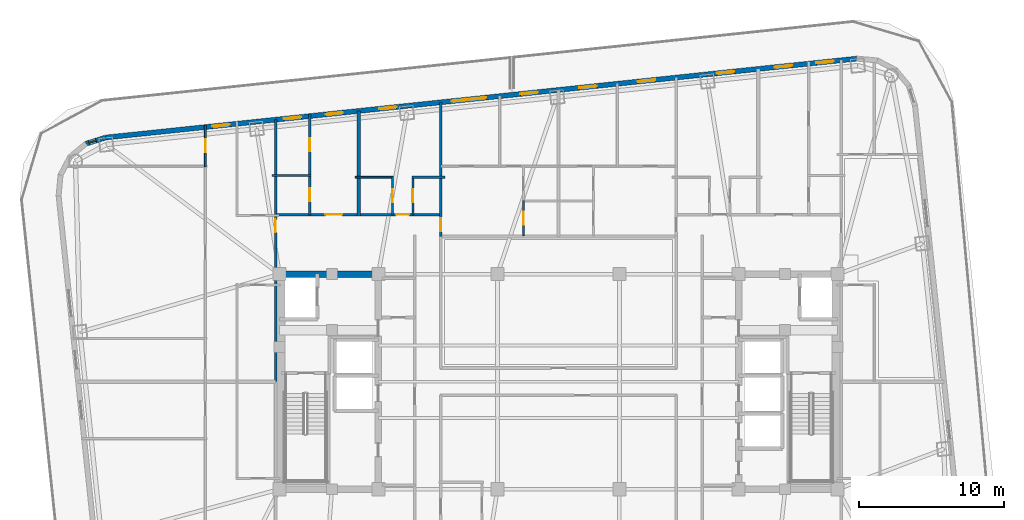
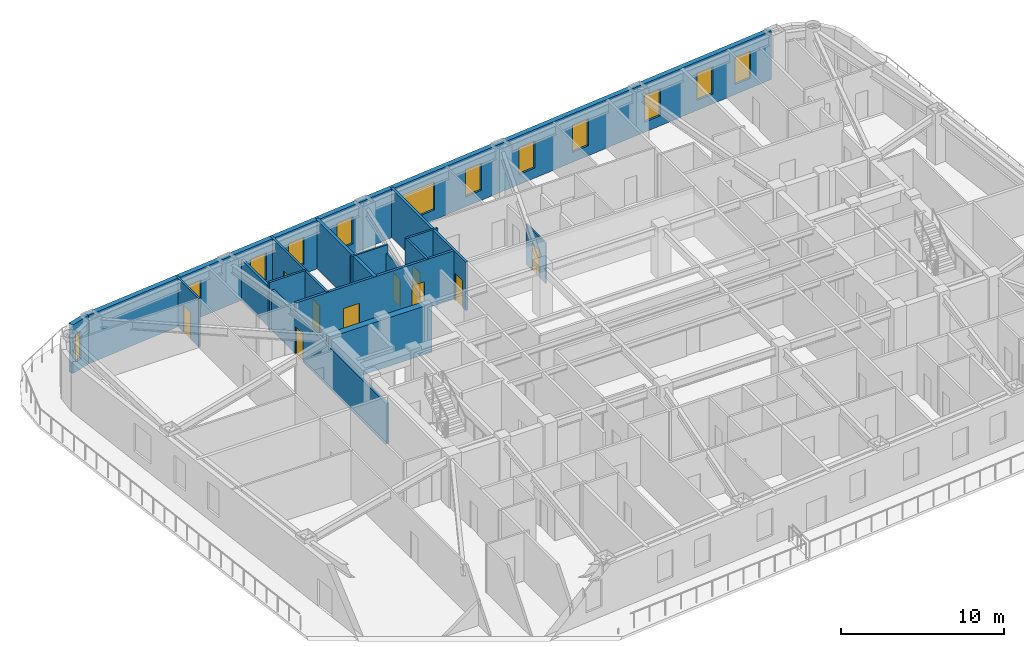
# One storey, part 8 of 15: 16 walls, 12 windows, 10 doors, 22 openings.
"""IFC4 building model written with IfcOpenShell, lengths in metres."""

from ifc_helpers import new_model, si_unit, direction, frame, frame_2d, origin, place, context, subcontext, project, spatial, rectangle, extrude, material, layer, layer_set, type_object, element, fill, save


model = new_model("IFC4")

# Units and contexts
model_context = context("Model", 3, precision=1e-05, world=origin(), true_north=direction((0.0, 1.0)))
body_context = subcontext(model_context, "Body", "Model", "MODEL_VIEW")
ifc_project = project(units=[si_unit("LENGTHUNIT", "METRE"), si_unit("AREAUNIT", "SQUARE_METRE"), si_unit("VOLUMEUNIT", "CUBIC_METRE"), si_unit("PLANEANGLEUNIT", "RADIAN"), si_unit("MASSUNIT", "GRAM", prefix="KILO")], contexts=[model_context])

# Site, building, storey
site_placement = place(None, origin())
site = spatial("IfcSite", under=ifc_project, at=site_placement, CompositionType="ELEMENT")
building_placement = place(site_placement, origin())
building = spatial("IfcBuilding", under=site, at=building_placement, Name="Voryun Gate Residences", CompositionType="ELEMENT")
storey_placement = place(building_placement, frame((0.0, 0.0, 171.60009765625)))
storey = spatial("IfcBuildingStorey", under=building, at=storey_placement, Name="L42", CompositionType="ELEMENT", Elevation=171.60009765625)

# Wall
ifc_material_1 = material(Name="Concrete C50/60", Category="concrete")
ifc_layer_1 = layer(ifc_material_1, 0.449951171875, Name="CW_CORE_450")
ifc_layer_set_1 = layer_set([ifc_layer_1], Name="Concrete C50/60")
wall_type_1 = type_object("IfcWallType", Name="CW_CORE_450", PredefinedType="SHEAR", material=ifc_layer_set_1)
wall_1_placement = place(storey_placement, frame((-19.425048828125, 7.39990234375, 0.0), z_axis=(0.0, 0.0, 1.0), x_axis=(1.0, 0.0, 0.0)))
element("IfcWall", 1, at=wall_1_placement, inside=storey, type_object=wall_type_1, Name="L42 Core shear wall CW-L42-WN", PredefinedType="SHEAR", context=body_context, shape_type="SweptSolid", body=[
    extrude(rectangle(XDim=7.25, YDim=0.449951171875, at=frame_2d((3.625, 0.0))), origin(), (0.0, 0.0, 1.0), 3.64990234375),
])

# Wall, openings, doors
ifc_material_2 = material(Name="Gypsum acoustic fireboard")
ifc_layer_2 = layer(ifc_material_2, 0.179931640625, Name="W_CORR_RATED_180")
ifc_layer_set_2 = layer_set([ifc_layer_2], Name="Gypsum acoustic fireboard")
wall_type_2 = type_object("IfcWallType", Name="W_CORR_RATED_180", PredefinedType="PARTITIONING", material=ifc_layer_set_2)
wall_2_placement = place(storey_placement, frame((-19.4150390625, 11.5, 0.0), z_axis=(0.0, 0.0, 1.0), x_axis=(1.0, 0.0, 0.0)))
wall_2 = element("IfcWall", 2, at=wall_2_placement, inside=storey, type_object=wall_type_2, Name="Partition wall WP-L42-NCORR-W", PredefinedType="PARTITIONING", context=body_context, shape_type="SweptSolid", body=[
    extrude(rectangle(XDim=11.3349609375, YDim=0.179931640625, at=frame_2d((5.66748046875, 0.0))), origin(), (0.0, 0.0, 1.0), 3.64990234375),
])
opening_1_placement = place(wall_2_placement, frame((3.37939453125, 0.0, 0.0)))
opening_1 = element("IfcOpeningElement", 3, at=opening_1_placement, cuts=wall_2, Name="Opening D-UNIT-1", PredefinedType="OPENING", context=body_context, shape_type="SweptSolid", body=[
    extrude(rectangle(XDim=1.14990234375, YDim=2.050048828125, at=frame_2d((0.574951171875, 1.02490234375))), frame((0.0, 0.099853515625, 0.0), z_axis=(0.0, -1.0, 0.0), x_axis=(1.0, 0.0, 0.0)), (0.0, 0.0, 1.0), 0.199951171875),
])
opening_2_placement = place(wall_2_placement, frame((8.23779296875, 0.0, 0.0)))
opening_2 = element("IfcOpeningElement", 4, at=opening_2_placement, cuts=wall_2, Name="Opening D-INT-2", PredefinedType="OPENING", context=body_context, shape_type="SweptSolid", body=[
    extrude(rectangle(XDim=0.89990234375, YDim=2.050048828125, at=frame_2d((0.449951171875, 1.02490234375))), frame((0.0, 0.099853515625, 0.0), z_axis=(0.0, -1.0, 0.0), x_axis=(1.0, 0.0, 0.0)), (0.0, 0.0, 1.0), 0.199951171875),
])
ifc_material_3 = material(Name="Architectural oak veneer")
door_type_1 = type_object("IfcDoorType", Name="DR_INT_BATH_900", OperationType="NOTDEFINED", PredefinedType="DOOR", material=ifc_material_3)
door_1_placement = place(opening_2_placement, origin())
door_1 = element("IfcDoor", 5, at=door_1_placement, inside=storey, type_object=door_type_1, Name="Door DR-L42-NENT-2", OperationType="SINGLE_SWING_RIGHT", OverallHeight=2.050048828125, OverallWidth=0.89990234375, PredefinedType="DOOR", context=body_context, shape_type="SweptSolid", body=[
    extrude(rectangle(XDim=0.89990234375, YDim=2.050048828125, at=frame_2d((0.449951171875, 1.02490234375))), frame((0.0, 0.02490234375, 0.0), z_axis=(0.0, -1.0, 0.0), x_axis=(1.0, 0.0, 0.0)), (0.0, 0.0, 1.0), 0.050048828125),
])
fill(opening_2, door_1)
ifc_material_4 = material(Name="Armoured timber-clad fire door", Category="wood")
door_type_2 = type_object("IfcDoorType", Name="DR_UNIT_ENTRY_1150", OperationType="NOTDEFINED", PredefinedType="DOOR", material=ifc_material_4)
door_2_placement = place(opening_1_placement, origin())
door_2 = element("IfcDoor", 6, at=door_2_placement, inside=storey, type_object=door_type_2, Name="Door DR-L42-NENT-1", OperationType="SINGLE_SWING_LEFT", OverallHeight=2.050048828125, OverallWidth=1.14990234375, PredefinedType="DOOR", context=body_context, shape_type="SweptSolid", body=[
    extrude(rectangle(XDim=1.14990234375, YDim=2.050048828125, at=frame_2d((0.574951171875, 1.02490234375))), frame((0.0, 0.02490234375, 0.0), z_axis=(0.0, -1.0, 0.0), x_axis=(1.0, 0.0, 0.0)), (0.0, 0.0, 1.0), 0.050048828125),
])
fill(opening_1, door_2)

# Wall, opening, door
wall_3_placement = place(storey_placement, frame((-8.10009765625, 9.989990234375, 0.0), z_axis=(0.0, 0.0, 1.0), x_axis=(0.0, 1.0, 0.0)))
wall_3 = element("IfcWall", 7, at=wall_3_placement, inside=storey, type_object=wall_type_2, Name="Partition wall WP-L42-NZV-1", PredefinedType="PARTITIONING", context=body_context, shape_type="SweptSolid", body=[
    extrude(rectangle(XDim=9.236328125, YDim=0.179931640625, at=frame_2d((4.6181640625, 0.0))), origin(), (0.0, 0.0, 1.0), 3.64990234375),
])
opening_3_placement = place(wall_3_placement, frame((0.349853515625, 0.0, 0.0)))
opening_3 = element("IfcOpeningElement", 8, at=opening_3_placement, cuts=wall_3, Name="Opening D-INT-2", PredefinedType="OPENING", context=body_context, shape_type="SweptSolid", body=[
    extrude(rectangle(XDim=0.89990234375, YDim=2.050048828125, at=frame_2d((0.449951171875, 1.02490234375))), frame((0.0, 0.099853515625, 0.0), z_axis=(0.0, -1.0, 0.0), x_axis=(1.0, 0.0, 0.0)), (0.0, 0.0, 1.0), 0.199951171875),
])
door_3_placement = place(opening_3_placement, origin())
door_3 = element("IfcDoor", 9, at=door_3_placement, inside=storey, type_object=door_type_1, Name="Door DR-L42-NZENT-1", OperationType="SINGLE_SWING_LEFT", OverallHeight=2.050048828125, OverallWidth=0.89990234375, PredefinedType="DOOR", context=body_context, shape_type="SweptSolid", body=[
    extrude(rectangle(XDim=0.89990234375, YDim=2.050048828125, at=frame_2d((0.449951171875, 1.02490234375))), frame((0.0, 0.02490234375, 0.0), z_axis=(0.0, -1.0, 0.0), x_axis=(1.0, 0.0, 0.0)), (0.0, 0.0, 1.0), 0.050048828125),
])
fill(opening_3, door_3)

wall_4_placement = place(storey_placement, frame((-19.469970703125, 0.0, 0.0), z_axis=(0.0, 0.0, 1.0), x_axis=(0.0, 1.0, 0.0)))
wall_4 = element("IfcWall", 10, at=wall_4_placement, inside=storey, type_object=wall_type_2, Name="Partition wall WP-L42-WCOR2", PredefinedType="PARTITIONING", context=body_context, shape_type="SweptSolid", body=[
    extrude(rectangle(XDim=18.031494140625, YDim=0.179931640625, at=frame_2d((9.015625, 0.0))), origin(), (0.0, 0.0, 1.0), 3.039794921875),
])
opening_4_placement = place(wall_4_placement, frame((10.280517578125, 0.0, 0.0)))
opening_4 = element("IfcOpeningElement", 11, at=opening_4_placement, cuts=wall_4, Name="Opening D-INT-2", PredefinedType="OPENING", context=body_context, shape_type="SweptSolid", body=[
    extrude(rectangle(XDim=0.89990234375, YDim=2.050048828125, at=frame_2d((0.449951171875, 1.02490234375))), frame((0.0, 0.099853515625, 0.0), z_axis=(0.0, -1.0, 0.0), x_axis=(1.0, 0.0, 0.0)), (0.0, 0.0, 1.0), 0.199951171875),
])
door_4_placement = place(opening_4_placement, origin())
door_4 = element("IfcDoor", 12, at=door_4_placement, inside=storey, type_object=door_type_1, Name="Door DR-L42-WE2", OperationType="SINGLE_SWING_RIGHT", OverallHeight=2.050048828125, OverallWidth=0.89990234375, PredefinedType="DOOR", context=body_context, shape_type="SweptSolid", body=[
    extrude(rectangle(XDim=0.89990234375, YDim=2.050048828125, at=frame_2d((0.449951171875, 1.02490234375))), frame((0.0, 0.02490234375, 0.0), z_axis=(0.0, -1.0, 0.0), x_axis=(1.0, 0.0, 0.0)), (0.0, 0.0, 1.0), 0.050048828125),
])
fill(opening_4, door_4)

# Wall, opening, window
ifc_material_5 = material(Name="Charcoal terracotta masonry", Category="masonry")
ifc_layer_3 = layer(ifc_material_5, 0.340087890625, Name="W_EXT_TERRACOTTA_340")
ifc_layer_set_3 = layer_set([ifc_layer_3], Name="Charcoal terracotta masonry")
wall_type_3 = type_object("IfcWallType", Name="W_EXT_TERRACOTTA_340", PredefinedType="ELEMENTEDWALL", material=ifc_layer_set_3)
wall_5_placement = place(storey_placement, frame((-32.523193359375, 16.37841796875, 0.0), z_axis=(0.0, 0.0, 1.0), x_axis=(0.9549942197, 0.296624409546, 0.0)))
wall_5 = element("IfcWall", 13, at=wall_5_placement, inside=storey, type_object=wall_type_3, Name="Exterior wall WEXT-L42-10", PredefinedType="ELEMENTEDWALL", context=body_context, shape_type="SweptSolid", body=[
    extrude(rectangle(XDim=1.43212890625, YDim=0.340087890625, at=frame_2d((0.716064453125, 0.0))), origin(), (0.0, 0.0, 1.0), 3.64990234375),
])
opening_5_placement = place(wall_5_placement, frame((0.216064453125, 0.0, 0.75)))
opening_5 = element("IfcOpeningElement", 14, at=opening_5_placement, cuts=wall_5, Name="Opening WN10", PredefinedType="OPENING", context=body_context, shape_type="SweptSolid", body=[
    extrude(rectangle(XDim=0.52001953125, YDim=2.050048828125, at=frame_2d((0.260009765625, 1.02490234375))), frame((0.0, 0.179931640625, 0.0), z_axis=(0.0, -1.0, 0.0), x_axis=(1.0, 0.0, 0.0)), (0.0, 0.0, 1.0), 0.360107421875),
])
ifc_material_6 = material(Name="Laminated low-E glass", Category="glass")
window_type_1 = type_object("IfcWindowType", Name="WN_PAGODA_LANCET_520", PartitioningType="SINGLE_PANEL", PredefinedType="WINDOW", material=ifc_material_6)
window_1_placement = place(opening_5_placement, origin())
window_1 = element("IfcWindow", 15, at=window_1_placement, inside=storey, type_object=window_type_1, Name="Window WN-L42-DWFIX-24", OverallHeight=2.050048828125, OverallWidth=0.52001953125, PartitioningType="SINGLE_PANEL", PredefinedType="WINDOW", context=body_context, shape_type="SweptSolid", body=[
    extrude(rectangle(XDim=0.52001953125, YDim=2.050048828125, at=frame_2d((0.260009765625, 1.02490234375))), frame((0.0, 0.030029296875, 0.0), z_axis=(0.0, -1.0, 0.0), x_axis=(1.0, 0.0, 0.0)), (0.0, 0.0, 1.0), 0.06005859375),
])
fill(opening_5, window_1)

# Wall, openings, windows
wall_6_placement = place(storey_placement, frame((-31.155517578125, 16.80322265625, 0.0), z_axis=(0.0, 0.0, 1.0), x_axis=(0.99452209583, 0.104526555986, 0.0)))
wall_6 = element("IfcWall", 16, at=wall_6_placement, inside=storey, type_object=wall_type_3, Name="Exterior wall WEXT-L42-11", PredefinedType="ELEMENTEDWALL", context=body_context, shape_type="SweptSolid", body=[
    extrude(rectangle(XDim=51.966552734375, YDim=0.340087890625, at=frame_2d((25.9833984375, 0.0))), origin(), (0.0, 0.0, 1.0), 3.64990234375),
])
opening_6_placement = place(wall_6_placement, frame((23.93310546875, 0.0, 0.75)))
opening_6 = element("IfcOpeningElement", 17, at=opening_6_placement, cuts=wall_6, Name="Opening WN2", PredefinedType="OPENING", context=body_context, shape_type="SweptSolid", body=[
    extrude(rectangle(XDim=2.39990234375, YDim=2.10009765625, at=frame_2d((1.199951171875, 1.050048828125))), frame((0.0, 0.179931640625, 0.0), z_axis=(0.0, -1.0, 0.0), x_axis=(1.0, 0.0, 0.0)), (0.0, 0.0, 1.0), 0.360107421875),
])
opening_7_placement = place(wall_6_placement, frame((15.209228515625, 0.0, 0.75)))
opening_7 = element("IfcOpeningElement", 18, at=opening_7_placement, cuts=wall_6, Name="Opening WN6", PredefinedType="OPENING", context=body_context, shape_type="SweptSolid", body=[
    extrude(rectangle(XDim=1.199951171875, YDim=2.050048828125, at=frame_2d((0.60009765625, 1.02490234375))), frame((0.0, 0.179931640625, 0.0), z_axis=(0.0, -1.0, 0.0), x_axis=(1.0, 0.0, 0.0)), (0.0, 0.0, 1.0), 0.360107421875),
])
opening_8_placement = place(wall_6_placement, frame((12.33349609375, 0.0, 0.75)))
opening_8 = element("IfcOpeningElement", 19, at=opening_8_placement, cuts=wall_6, Name="Opening WN6", PredefinedType="OPENING", context=body_context, shape_type="SweptSolid", body=[
    extrude(rectangle(XDim=1.199951171875, YDim=2.050048828125, at=frame_2d((0.60009765625, 1.02490234375))), frame((0.0, 0.179931640625, 0.0), z_axis=(0.0, -1.0, 0.0), x_axis=(1.0, 0.0, 0.0)), (0.0, 0.0, 1.0), 0.360107421875),
])
opening_9_placement = place(wall_6_placement, frame((18.914794921875, 0.0, 0.75)))
opening_9 = element("IfcOpeningElement", 20, at=opening_9_placement, cuts=wall_6, Name="Opening WN6", PredefinedType="OPENING", context=body_context, shape_type="SweptSolid", body=[
    extrude(rectangle(XDim=1.199951171875, YDim=2.050048828125, at=frame_2d((0.60009765625, 1.02490234375))), frame((0.0, 0.179931640625, 0.0), z_axis=(0.0, -1.0, 0.0), x_axis=(1.0, 0.0, 0.0)), (0.0, 0.0, 1.0), 0.360107421875),
])
opening_10_placement = place(wall_6_placement, frame((42.294921875, 0.0, 0.75)))
opening_10 = element("IfcOpeningElement", 21, at=opening_10_placement, cuts=wall_6, Name="Opening WN6", PredefinedType="OPENING", context=body_context, shape_type="SweptSolid", body=[
    extrude(rectangle(XDim=1.199951171875, YDim=2.050048828125, at=frame_2d((0.60009765625, 1.02490234375))), frame((0.0, 0.179931640625, 0.0), z_axis=(0.0, -1.0, 0.0), x_axis=(1.0, 0.0, 0.0)), (0.0, 0.0, 1.0), 0.360107421875),
])
opening_11_placement = place(wall_6_placement, frame((46.2880859375, 0.0, 0.75)))
opening_11 = element("IfcOpeningElement", 22, at=opening_11_placement, cuts=wall_6, Name="Opening WN6", PredefinedType="OPENING", context=body_context, shape_type="SweptSolid", body=[
    extrude(rectangle(XDim=1.199951171875, YDim=2.050048828125, at=frame_2d((0.60009765625, 1.02490234375))), frame((0.0, 0.179931640625, 0.0), z_axis=(0.0, -1.0, 0.0), x_axis=(1.0, 0.0, 0.0)), (0.0, 0.0, 1.0), 0.360107421875),
])
opening_12_placement = place(wall_6_placement, frame((49.163818359375, 0.0, 0.75)))
opening_12 = element("IfcOpeningElement", 23, at=opening_12_placement, cuts=wall_6, Name="Opening WN6", PredefinedType="OPENING", context=body_context, shape_type="SweptSolid", body=[
    extrude(rectangle(XDim=1.199951171875, YDim=2.050048828125, at=frame_2d((0.60009765625, 1.02490234375))), frame((0.0, 0.179931640625, 0.0), z_axis=(0.0, -1.0, 0.0), x_axis=(1.0, 0.0, 0.0)), (0.0, 0.0, 1.0), 0.360107421875),
])
opening_13_placement = place(wall_6_placement, frame((28.68359375, 0.0, 0.75)))
opening_13 = element("IfcOpeningElement", 24, at=opening_13_placement, cuts=wall_6, Name="Opening WN6", PredefinedType="OPENING", context=body_context, shape_type="SweptSolid", body=[
    extrude(rectangle(XDim=1.199951171875, YDim=2.050048828125, at=frame_2d((0.60009765625, 1.02490234375))), frame((0.0, 0.179931640625, 0.0), z_axis=(0.0, -1.0, 0.0), x_axis=(1.0, 0.0, 0.0)), (0.0, 0.0, 1.0), 0.360107421875),
])
opening_14_placement = place(wall_6_placement, frame((32.76611328125, 0.0, 0.75)))
opening_14 = element("IfcOpeningElement", 25, at=opening_14_placement, cuts=wall_6, Name="Opening WN6", PredefinedType="OPENING", context=body_context, shape_type="SweptSolid", body=[
    extrude(rectangle(XDim=1.199951171875, YDim=2.050048828125, at=frame_2d((0.60009765625, 1.02490234375))), frame((0.0, 0.179931640625, 0.0), z_axis=(0.0, -1.0, 0.0), x_axis=(1.0, 0.0, 0.0)), (0.0, 0.0, 1.0), 0.360107421875),
])
opening_15_placement = place(wall_6_placement, frame((36.828369140625, 0.0, 0.75)))
opening_15 = element("IfcOpeningElement", 26, at=opening_15_placement, cuts=wall_6, Name="Opening WN6", PredefinedType="OPENING", context=body_context, shape_type="SweptSolid", body=[
    extrude(rectangle(XDim=1.199951171875, YDim=2.050048828125, at=frame_2d((0.60009765625, 1.02490234375))), frame((0.0, 0.179931640625, 0.0), z_axis=(0.0, -1.0, 0.0), x_axis=(1.0, 0.0, 0.0)), (0.0, 0.0, 1.0), 0.360107421875),
])
opening_16_placement = place(wall_6_placement, frame((7.386962890625, 0.0, 0.75)))
opening_16 = element("IfcOpeningElement", 27, at=opening_16_placement, cuts=wall_6, Name="Opening WN6", PredefinedType="OPENING", context=body_context, shape_type="SweptSolid", body=[
    extrude(rectangle(XDim=1.199951171875, YDim=2.050048828125, at=frame_2d((0.60009765625, 1.02490234375))), frame((0.0, 0.179931640625, 0.0), z_axis=(0.0, -1.0, 0.0), x_axis=(1.0, 0.0, 0.0)), (0.0, 0.0, 1.0), 0.360107421875),
])
ifc_material_7 = material(Name="Laminated low-E glass", Category="glass")
window_type_2 = type_object("IfcWindowType", Name="WN_POD_SLOT_1200", PartitioningType="SINGLE_PANEL", PredefinedType="WINDOW", material=ifc_material_7)
window_2_placement = place(opening_7_placement, origin())
window_2 = element("IfcWindow", 28, at=window_2_placement, inside=storey, type_object=window_type_2, Name="Window WN-L42-DWFIX-01", OverallHeight=2.050048828125, OverallWidth=1.199951171875, PartitioningType="SINGLE_PANEL", PredefinedType="WINDOW", context=body_context, shape_type="SweptSolid", body=[
    extrude(rectangle(XDim=1.199951171875, YDim=2.050048828125, at=frame_2d((0.60009765625, 1.02490234375))), frame((0.0, 0.030029296875, 0.0), z_axis=(0.0, -1.0, 0.0), x_axis=(1.0, 0.0, 0.0)), (0.0, 0.0, 1.0), 0.06005859375),
])
fill(opening_7, window_2)
window_3_placement = place(opening_8_placement, origin())
window_3 = element("IfcWindow", 29, at=window_3_placement, inside=storey, type_object=window_type_2, Name="Window WN-L42-DWFIX-02", OverallHeight=2.050048828125, OverallWidth=1.199951171875, PartitioningType="SINGLE_PANEL", PredefinedType="WINDOW", context=body_context, shape_type="SweptSolid", body=[
    extrude(rectangle(XDim=1.199951171875, YDim=2.050048828125, at=frame_2d((0.60009765625, 1.02490234375))), frame((0.0, 0.030029296875, 0.0), z_axis=(0.0, -1.0, 0.0), x_axis=(1.0, 0.0, 0.0)), (0.0, 0.0, 1.0), 0.06005859375),
])
fill(opening_8, window_3)
window_4_placement = place(opening_9_placement, origin())
window_4 = element("IfcWindow", 30, at=window_4_placement, inside=storey, type_object=window_type_2, Name="Window WN-L42-DWFIX-03", OverallHeight=2.050048828125, OverallWidth=1.199951171875, PartitioningType="SINGLE_PANEL", PredefinedType="WINDOW", context=body_context, shape_type="SweptSolid", body=[
    extrude(rectangle(XDim=1.199951171875, YDim=2.050048828125, at=frame_2d((0.60009765625, 1.02490234375))), frame((0.0, 0.030029296875, 0.0), z_axis=(0.0, -1.0, 0.0), x_axis=(1.0, 0.0, 0.0)), (0.0, 0.0, 1.0), 0.06005859375),
])
fill(opening_9, window_4)
window_5_placement = place(opening_10_placement, origin())
window_5 = element("IfcWindow", 31, at=window_5_placement, inside=storey, type_object=window_type_2, Name="Window WN-L42-DWFIX-04", OverallHeight=2.050048828125, OverallWidth=1.199951171875, PartitioningType="SINGLE_PANEL", PredefinedType="WINDOW", context=body_context, shape_type="SweptSolid", body=[
    extrude(rectangle(XDim=1.199951171875, YDim=2.050048828125, at=frame_2d((0.60009765625, 1.02490234375))), frame((0.0, 0.030029296875, 0.0), z_axis=(0.0, -1.0, 0.0), x_axis=(1.0, 0.0, 0.0)), (0.0, 0.0, 1.0), 0.06005859375),
])
fill(opening_10, window_5)
window_6_placement = place(opening_11_placement, origin())
window_6 = element("IfcWindow", 32, at=window_6_placement, inside=storey, type_object=window_type_2, Name="Window WN-L42-DWFIX-05", OverallHeight=2.050048828125, OverallWidth=1.199951171875, PartitioningType="SINGLE_PANEL", PredefinedType="WINDOW", context=body_context, shape_type="SweptSolid", body=[
    extrude(rectangle(XDim=1.199951171875, YDim=2.050048828125, at=frame_2d((0.60009765625, 1.02490234375))), frame((0.0, 0.030029296875, 0.0), z_axis=(0.0, -1.0, 0.0), x_axis=(1.0, 0.0, 0.0)), (0.0, 0.0, 1.0), 0.06005859375),
])
fill(opening_11, window_6)
window_7_placement = place(opening_12_placement, origin())
window_7 = element("IfcWindow", 33, at=window_7_placement, inside=storey, type_object=window_type_2, Name="Window WN-L42-DWFIX-06", OverallHeight=2.050048828125, OverallWidth=1.199951171875, PartitioningType="SINGLE_PANEL", PredefinedType="WINDOW", context=body_context, shape_type="SweptSolid", body=[
    extrude(rectangle(XDim=1.199951171875, YDim=2.050048828125, at=frame_2d((0.60009765625, 1.02490234375))), frame((0.0, 0.030029296875, 0.0), z_axis=(0.0, -1.0, 0.0), x_axis=(1.0, 0.0, 0.0)), (0.0, 0.0, 1.0), 0.06005859375),
])
fill(opening_12, window_7)
window_8_placement = place(opening_13_placement, origin())
window_8 = element("IfcWindow", 34, at=window_8_placement, inside=storey, type_object=window_type_2, Name="Window WN-L42-DWFIX-07", OverallHeight=2.050048828125, OverallWidth=1.199951171875, PartitioningType="SINGLE_PANEL", PredefinedType="WINDOW", context=body_context, shape_type="SweptSolid", body=[
    extrude(rectangle(XDim=1.199951171875, YDim=2.050048828125, at=frame_2d((0.60009765625, 1.02490234375))), frame((0.0, 0.030029296875, 0.0), z_axis=(0.0, -1.0, 0.0), x_axis=(1.0, 0.0, 0.0)), (0.0, 0.0, 1.0), 0.06005859375),
])
fill(opening_13, window_8)
window_9_placement = place(opening_14_placement, origin())
window_9 = element("IfcWindow", 35, at=window_9_placement, inside=storey, type_object=window_type_2, Name="Window WN-L42-DWFIX-08", OverallHeight=2.050048828125, OverallWidth=1.199951171875, PartitioningType="SINGLE_PANEL", PredefinedType="WINDOW", context=body_context, shape_type="SweptSolid", body=[
    extrude(rectangle(XDim=1.199951171875, YDim=2.050048828125, at=frame_2d((0.60009765625, 1.02490234375))), frame((0.0, 0.030029296875, 0.0), z_axis=(0.0, -1.0, 0.0), x_axis=(1.0, 0.0, 0.0)), (0.0, 0.0, 1.0), 0.06005859375),
])
fill(opening_14, window_9)
window_10_placement = place(opening_15_placement, origin())
window_10 = element("IfcWindow", 36, at=window_10_placement, inside=storey, type_object=window_type_2, Name="Window WN-L42-DWFIX-09", OverallHeight=2.050048828125, OverallWidth=1.199951171875, PartitioningType="SINGLE_PANEL", PredefinedType="WINDOW", context=body_context, shape_type="SweptSolid", body=[
    extrude(rectangle(XDim=1.199951171875, YDim=2.050048828125, at=frame_2d((0.60009765625, 1.02490234375))), frame((0.0, 0.030029296875, 0.0), z_axis=(0.0, -1.0, 0.0), x_axis=(1.0, 0.0, 0.0)), (0.0, 0.0, 1.0), 0.06005859375),
])
fill(opening_15, window_10)
window_11_placement = place(opening_16_placement, origin())
window_11 = element("IfcWindow", 37, at=window_11_placement, inside=storey, type_object=window_type_2, Name="Window WN-L42-DWFIX-23", OverallHeight=2.050048828125, OverallWidth=1.199951171875, PartitioningType="SINGLE_PANEL", PredefinedType="WINDOW", context=body_context, shape_type="SweptSolid", body=[
    extrude(rectangle(XDim=1.199951171875, YDim=2.050048828125, at=frame_2d((0.60009765625, 1.02490234375))), frame((0.0, 0.030029296875, 0.0), z_axis=(0.0, -1.0, 0.0), x_axis=(1.0, 0.0, 0.0)), (0.0, 0.0, 1.0), 0.06005859375),
])
fill(opening_16, window_11)
ifc_material_8 = material(Name="Laminated low-E glass", Category="glass")
window_type_3 = type_object("IfcWindowType", Name="WN_RES_WIDE_2400", PartitioningType="SINGLE_PANEL", PredefinedType="WINDOW", material=ifc_material_8)
window_12_placement = place(opening_6_placement, origin())
window_12 = element("IfcWindow", 38, at=window_12_placement, inside=storey, type_object=window_type_3, Name="Window WN-WEXT-L42-11-02", OverallHeight=2.10009765625, OverallWidth=2.39990234375, PartitioningType="SINGLE_PANEL", PredefinedType="WINDOW", context=body_context, shape_type="SweptSolid", body=[
    extrude(rectangle(XDim=2.39990234375, YDim=2.10009765625, at=frame_2d((1.199951171875, 1.050048828125))), frame((0.0, 0.030029296875, 0.0), z_axis=(0.0, -1.0, 0.0), x_axis=(1.0, 0.0, 0.0)), (0.0, 0.0, 1.0), 0.06005859375),
])
fill(opening_6, window_12)

# Wall
ifc_material_9 = material(Name="Concrete C40/50", Category="concrete")
ifc_layer_4 = layer(ifc_material_9, 0.219970703125, Name="W_PARTY_ACOUSTIC_220")
ifc_layer_set_4 = layer_set([ifc_layer_4], Name="Concrete C40/50")
wall_type_4 = type_object("IfcWallType", Name="W_PARTY_ACOUSTIC_220", PredefinedType="PARTITIONING", material=ifc_layer_set_4)
wall_7_placement = place(storey_placement, frame((-13.739990234375, 11.419921875, 0.0), z_axis=(0.0, 0.0, 1.0), x_axis=(0.0, 1.0, 0.0)))
element("IfcWall", 39, at=wall_7_placement, inside=storey, type_object=wall_type_4, Name="Partition wall WP-L42-NPTY-1", PredefinedType="PARTITIONING", context=body_context, shape_type="SweptSolid", body=[
    extrude(rectangle(XDim=7.213623046875, YDim=0.219970703125, at=frame_2d((3.60693359375, 0.0))), origin(), (0.0, 0.0, 1.0), 3.64990234375),
])

# Wall, opening, door
ifc_material_10 = material(Name="Gypsum acoustic partition")
ifc_layer_5 = layer(ifc_material_10, 0.125, Name="W_UNIT_PART_125")
ifc_layer_set_5 = layer_set([ifc_layer_5], Name="Gypsum acoustic partition")
wall_type_5 = type_object("IfcWallType", Name="W_UNIT_PART_125", PredefinedType="PARTITIONING", material=ifc_layer_set_5)
wall_8_placement = place(storey_placement, frame((-11.429931640625, 11.47998046875, 0.0), z_axis=(0.0, 0.0, 1.0), x_axis=(0.0, 1.0, 0.0)))
wall_8 = element("IfcWall", 40, at=wall_8_placement, inside=storey, type_object=wall_type_5, Name="Partition wall WP-L42-N2-CVK", PredefinedType="PARTITIONING", context=body_context, shape_type="SweptSolid", body=[
    extrude(rectangle(XDim=2.64990234375, YDim=0.125, at=frame_2d((1.324951171875, 0.0))), origin(), (0.0, 0.0, 1.0), 3.039794921875),
])
opening_17_placement = place(wall_8_placement, frame((0.875, 0.0, 0.0)))
opening_17 = element("IfcOpeningElement", 41, at=opening_17_placement, cuts=wall_8, Name="Opening D-INT-2", PredefinedType="OPENING", context=body_context, shape_type="SweptSolid", body=[
    extrude(rectangle(XDim=0.89990234375, YDim=2.050048828125, at=frame_2d((0.449951171875, 1.02490234375))), frame((0.0, 0.072509765625, 0.0), z_axis=(0.0, -1.0, 0.0), x_axis=(1.0, 0.0, 0.0)), (0.0, 0.0, 1.0), 0.14501953125),
])
door_5_placement = place(opening_17_placement, origin())
door_5 = element("IfcDoor", 42, at=door_5_placement, inside=storey, type_object=door_type_1, Name="Door DR-L42-N2-DK", OperationType="SINGLE_SWING_LEFT", OverallHeight=2.050048828125, OverallWidth=0.89990234375, PredefinedType="DOOR", context=body_context, shape_type="SweptSolid", body=[
    extrude(rectangle(XDim=0.89990234375, YDim=2.050048828125, at=frame_2d((0.449951171875, 1.02490234375))), frame((0.0, 0.02490234375, 0.0), z_axis=(0.0, -1.0, 0.0), x_axis=(1.0, 0.0, 0.0)), (0.0, 0.0, 1.0), 0.050048828125),
])
fill(opening_17, door_5)

# Wall
wall_9_placement = place(storey_placement, frame((-14.0, 14.070068359375, 0.0), z_axis=(0.0, 0.0, 1.0), x_axis=(1.0, 0.0, 0.0)))
element("IfcWall", 43, at=wall_9_placement, inside=storey, type_object=wall_type_5, Name="Partition wall WP-L42-N2-CHK", PredefinedType="PARTITIONING", context=body_context, shape_type="SweptSolid", body=[
    extrude(rectangle(XDim=2.6298828125, YDim=0.125, at=frame_2d((1.31494140625, 0.0))), origin(), (0.0, 0.0, 1.0), 3.64990234375),
])

# Wall, opening, door
wall_10_placement = place(storey_placement, frame((-2.409912109375, 10.050048828125, 0.0), z_axis=(0.0, 0.0, 1.0), x_axis=(0.0, 1.0, 0.0)))
wall_10 = element("IfcWall", 44, at=wall_10_placement, inside=storey, type_object=wall_type_5, Name="Partition wall WP-L42-NC1-VK1", PredefinedType="PARTITIONING", context=body_context, shape_type="SweptSolid", body=[
    extrude(rectangle(XDim=2.409912109375, YDim=0.125, at=frame_2d((1.205078125, 0.0))), origin(), (0.0, 0.0, 1.0), 3.039794921875),
])
opening_18_placement = place(wall_10_placement, frame((0.7548828125, 0.0, 0.0)))
opening_18 = element("IfcOpeningElement", 45, at=opening_18_placement, cuts=wall_10, Name="Opening D-INT-2", PredefinedType="OPENING", context=body_context, shape_type="SweptSolid", body=[
    extrude(rectangle(XDim=0.89990234375, YDim=2.050048828125, at=frame_2d((0.449951171875, 1.02490234375))), frame((0.0, 0.072509765625, 0.0), z_axis=(0.0, -1.0, 0.0), x_axis=(1.0, 0.0, 0.0)), (0.0, 0.0, 1.0), 0.14501953125),
])
door_6_placement = place(opening_18_placement, origin())
door_6 = element("IfcDoor", 46, at=door_6_placement, inside=storey, type_object=door_type_1, Name="Door DR-L42-NC1-DK", OperationType="SINGLE_SWING_LEFT", OverallHeight=2.050048828125, OverallWidth=0.89990234375, PredefinedType="DOOR", context=body_context, shape_type="SweptSolid", body=[
    extrude(rectangle(XDim=0.89990234375, YDim=2.050048828125, at=frame_2d((0.449951171875, 1.02490234375))), frame((0.0, 0.02490234375, 0.0), z_axis=(0.0, -1.0, 0.0), x_axis=(1.0, 0.0, 0.0)), (0.0, 0.0, 1.0), 0.050048828125),
])
fill(opening_18, door_6)

wall_11_placement = place(storey_placement, frame((-24.300048828125, 14.783935546875, 0.0), z_axis=(0.0, 0.0, 1.0), x_axis=(0.0, 1.0, 0.0)))
wall_11 = element("IfcWall", 47, at=wall_11_placement, inside=storey, type_object=wall_type_5, Name="Partition wall WP-L42-W2-OVX3", PredefinedType="PARTITIONING", context=body_context, shape_type="SweptSolid", body=[
    extrude(rectangle(XDim=2.890625, YDim=0.125, at=frame_2d((1.4453125, 0.0))), origin(), (0.0, 0.0, 1.0), 3.64990234375),
])
opening_19_placement = place(wall_11_placement, frame((0.995361328125, 0.0, 0.0)))
opening_19 = element("IfcOpeningElement", 48, at=opening_19_placement, cuts=wall_11, Name="Opening D-INT-2", PredefinedType="OPENING", context=body_context, shape_type="SweptSolid", body=[
    extrude(rectangle(XDim=0.89990234375, YDim=2.050048828125, at=frame_2d((0.449951171875, 1.02490234375))), frame((0.0, 0.072509765625, 0.0), z_axis=(0.0, -1.0, 0.0), x_axis=(1.0, 0.0, 0.0)), (0.0, 0.0, 1.0), 0.14501953125),
])
door_7_placement = place(opening_19_placement, origin())
door_7 = element("IfcDoor", 49, at=door_7_placement, inside=storey, type_object=door_type_1, Name="Door DR-L42-W2-DMB", OperationType="SINGLE_SWING_LEFT", OverallHeight=2.050048828125, OverallWidth=0.89990234375, PredefinedType="DOOR", context=body_context, shape_type="SweptSolid", body=[
    extrude(rectangle(XDim=0.89990234375, YDim=2.050048828125, at=frame_2d((0.449951171875, 1.02490234375))), frame((0.0, 0.02490234375, 0.0), z_axis=(0.0, -1.0, 0.0), x_axis=(1.0, 0.0, 0.0)), (0.0, 0.0, 1.0), 0.050048828125),
])
fill(opening_19, door_7)

# Wall
ifc_material_11 = material(Name="Gypsum moisture-resistant partition")
ifc_layer_6 = layer(ifc_material_11, 0.14990234375, Name="W_WET_PLUMB_150")
ifc_layer_set_6 = layer_set([ifc_layer_6], Name="Gypsum moisture-resistant partition")
wall_type_6 = type_object("IfcWallType", Name="W_WET_PLUMB_150", PredefinedType="PLUMBINGWALL", material=ifc_layer_set_6)
wall_12_placement = place(storey_placement, frame((-19.719970703125, 14.199951171875, 0.0), z_axis=(0.0, 0.0, 1.0), x_axis=(1.0, 0.0, 0.0)))
element("IfcWall", 50, at=wall_12_placement, inside=storey, type_object=wall_type_6, Name="Partition wall WP-L42-N1-SKB", PredefinedType="PLUMBINGWALL", context=body_context, shape_type="SweptSolid", body=[
    extrude(rectangle(XDim=2.678955078125, YDim=0.14990234375, at=frame_2d((1.33935546875, 0.0))), origin(), (0.0, 0.0, 1.0), 3.64990234375),
])

# Wall, opening, door
wall_13_placement = place(storey_placement, frame((-17.12109375, 11.47998046875, 0.0), z_axis=(0.0, 0.0, 1.0), x_axis=(0.0, 1.0, 0.0)))
wall_13 = element("IfcWall", 51, at=wall_13_placement, inside=storey, type_object=wall_type_6, Name="Partition wall WP-L42-N1-SVT1", PredefinedType="PLUMBINGWALL", context=body_context, shape_type="SweptSolid", body=[
    extrude(rectangle(XDim=2.760009765625, YDim=0.14990234375, at=frame_2d((1.3798828125, 0.0))), origin(), (0.0, 0.0, 1.0), 3.64990234375),
])
opening_20_placement = place(wall_13_placement, frame((0.929931640625, 0.0, 0.0)))
opening_20 = element("IfcOpeningElement", 52, at=opening_20_placement, cuts=wall_13, Name="Opening D-INT-2", PredefinedType="OPENING", context=body_context, shape_type="SweptSolid", body=[
    extrude(rectangle(XDim=0.89990234375, YDim=2.050048828125, at=frame_2d((0.449951171875, 1.02490234375))), frame((0.0, 0.0849609375, 0.0), z_axis=(0.0, -1.0, 0.0), x_axis=(1.0, 0.0, 0.0)), (0.0, 0.0, 1.0), 0.169921875),
])
door_8_placement = place(opening_20_placement, origin())
door_8 = element("IfcDoor", 53, at=door_8_placement, inside=storey, type_object=door_type_1, Name="Door DR-L42-N1-DB", OperationType="SINGLE_SWING_LEFT", OverallHeight=2.050048828125, OverallWidth=0.89990234375, PredefinedType="DOOR", context=body_context, shape_type="SweptSolid", body=[
    extrude(rectangle(XDim=0.89990234375, YDim=2.050048828125, at=frame_2d((0.449951171875, 1.02490234375))), frame((0.0, 0.02490234375, 0.0), z_axis=(0.0, -1.0, 0.0), x_axis=(1.0, 0.0, 0.0)), (0.0, 0.0, 1.0), 0.050048828125),
])
fill(opening_20, door_8)

wall_14_placement = place(storey_placement, frame((-17.12109375, 14.159912109375, 0.0), z_axis=(0.0, 0.0, 1.0), x_axis=(0.0, 1.0, 0.0)))
wall_14 = element("IfcWall", 54, at=wall_14_placement, inside=storey, type_object=wall_type_6, Name="Partition wall WP-L42-N1-SVT2", PredefinedType="PLUMBINGWALL", context=body_context, shape_type="SweptSolid", body=[
    extrude(rectangle(XDim=4.269287109375, YDim=0.14990234375, at=frame_2d((2.134765625, 0.0))), origin(), (0.0, 0.0, 1.0), 3.64990234375),
])
opening_21_placement = place(wall_14_placement, frame((1.6845703125, 0.0, 0.0)))
opening_21 = element("IfcOpeningElement", 55, at=opening_21_placement, cuts=wall_14, Name="Opening D-INT-2", PredefinedType="OPENING", context=body_context, shape_type="SweptSolid", body=[
    extrude(rectangle(XDim=0.89990234375, YDim=2.050048828125, at=frame_2d((0.449951171875, 1.02490234375))), frame((0.0, 0.0849609375, 0.0), z_axis=(0.0, -1.0, 0.0), x_axis=(1.0, 0.0, 0.0)), (0.0, 0.0, 1.0), 0.169921875),
])
door_9_placement = place(opening_21_placement, origin())
door_9 = element("IfcDoor", 56, at=door_9_placement, inside=storey, type_object=door_type_1, Name="Door DR-L42-N1-DK", OperationType="SINGLE_SWING_RIGHT", OverallHeight=2.050048828125, OverallWidth=0.89990234375, PredefinedType="DOOR", context=body_context, shape_type="SweptSolid", body=[
    extrude(rectangle(XDim=0.89990234375, YDim=2.050048828125, at=frame_2d((0.449951171875, 1.02490234375))), frame((0.0, 0.02490234375, 0.0), z_axis=(0.0, -1.0, 0.0), x_axis=(1.0, 0.0, 0.0)), (0.0, 0.0, 1.0), 0.050048828125),
])
fill(opening_21, door_9)

wall_15_placement = place(storey_placement, frame((-10.02392578125, 11.47998046875, 0.0), z_axis=(0.0, 0.0, 1.0), x_axis=(0.0, 1.0, 0.0)))
wall_15 = element("IfcWall", 57, at=wall_15_placement, inside=storey, type_object=wall_type_6, Name="Partition wall WP-L42-N2-CVB", PredefinedType="PLUMBINGWALL", context=body_context, shape_type="SweptSolid", body=[
    extrude(rectangle(XDim=2.64990234375, YDim=0.14990234375, at=frame_2d((1.324951171875, 0.0))), origin(), (0.0, 0.0, 1.0), 3.64990234375),
])
opening_22_placement = place(wall_15_placement, frame((0.875, 0.0, 0.0)))
opening_22 = element("IfcOpeningElement", 58, at=opening_22_placement, cuts=wall_15, Name="Opening D-INT-2", PredefinedType="OPENING", context=body_context, shape_type="SweptSolid", body=[
    extrude(rectangle(XDim=0.89990234375, YDim=2.050048828125, at=frame_2d((0.449951171875, 1.02490234375))), frame((0.0, 0.0849609375, 0.0), z_axis=(0.0, -1.0, 0.0), x_axis=(1.0, 0.0, 0.0)), (0.0, 0.0, 1.0), 0.169921875),
])
door_10_placement = place(opening_22_placement, origin())
door_10 = element("IfcDoor", 59, at=door_10_placement, inside=storey, type_object=door_type_1, Name="Door DR-L42-N2-DB", OperationType="SINGLE_SWING_RIGHT", OverallHeight=2.050048828125, OverallWidth=0.89990234375, PredefinedType="DOOR", context=body_context, shape_type="SweptSolid", body=[
    extrude(rectangle(XDim=0.89990234375, YDim=2.050048828125, at=frame_2d((0.449951171875, 1.02490234375))), frame((0.0, 0.02490234375, 0.0), z_axis=(0.0, -1.0, 0.0), x_axis=(1.0, 0.0, 0.0)), (0.0, 0.0, 1.0), 0.050048828125),
])
fill(opening_22, door_10)

# Wall
wall_16_placement = place(storey_placement, frame((-10.083984375, 14.070068359375, 0.0), z_axis=(0.0, 0.0, 1.0), x_axis=(1.0, 0.0, 0.0)))
element("IfcWall", 60, at=wall_16_placement, inside=storey, type_object=wall_type_6, Name="Partition wall WP-L42-N2-CHB", PredefinedType="PLUMBINGWALL", context=body_context, shape_type="SweptSolid", body=[
    extrude(rectangle(XDim=2.263916015625, YDim=0.14990234375, at=frame_2d((1.1318359375, 0.0))), origin(), (0.0, 0.0, 1.0), 3.64990234375),
])

save(model, "model.ifc")
